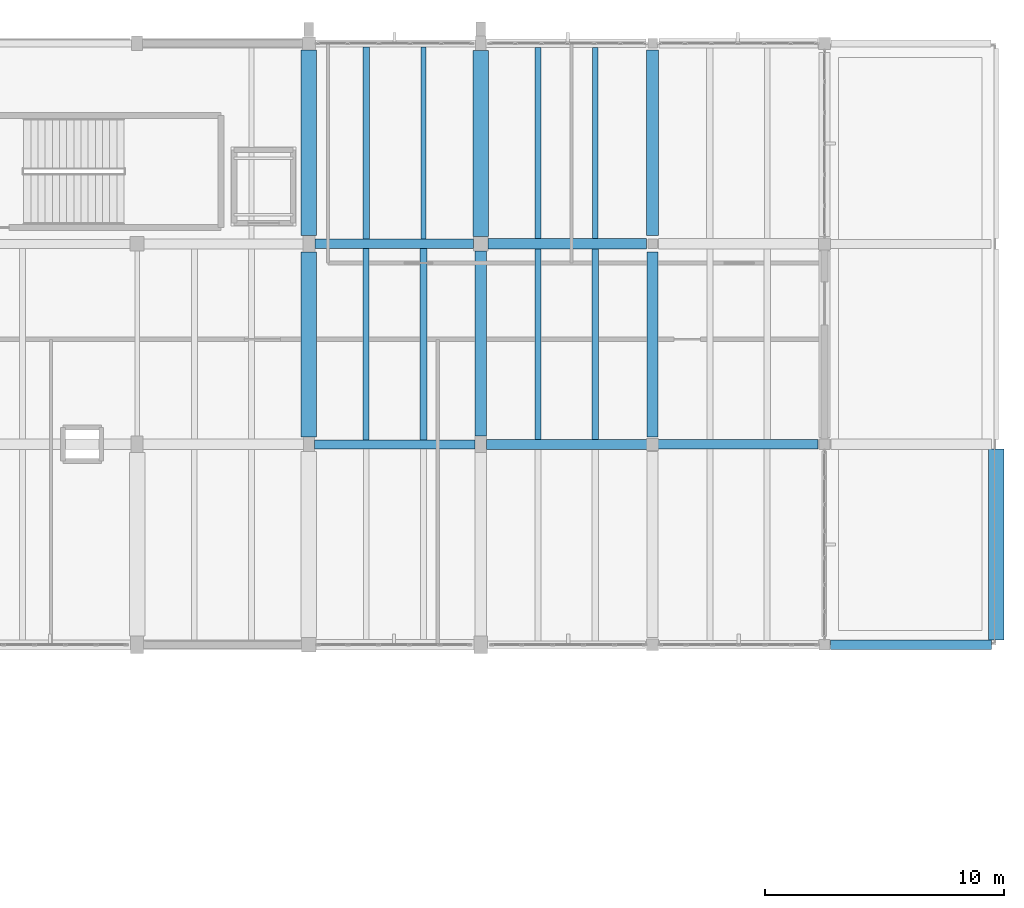
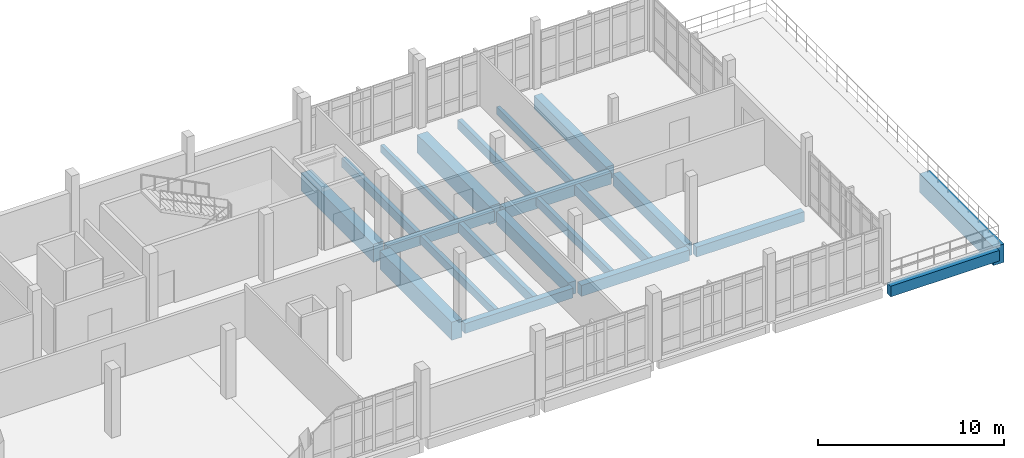
# One storey, part 21 of 41: 21 beams.
"""IFC4 building model written with IfcOpenShell, lengths in metres."""

from ifc_helpers import new_model, si_unit, direction, frame, origin, origin_2d, place, context, subcontext, project, spatial, rectangle, extrude, material, material_profile, profile_set, type_object, element, save


model = new_model("IFC4")

# Units and contexts
model_context = context("Model", 3, precision=1e-05, world=origin(), true_north=direction((0.0, 1.0)))
body_context = subcontext(model_context, "Body", "Model", "MODEL_VIEW")
ifc_project = project(units=[si_unit("LENGTHUNIT", "METRE"), si_unit("AREAUNIT", "SQUARE_METRE"), si_unit("VOLUMEUNIT", "CUBIC_METRE"), si_unit("PLANEANGLEUNIT", "RADIAN"), si_unit("MASSUNIT", "GRAM", prefix="KILO")], contexts=[model_context])

# Site, building, storey
site_placement = place(None, origin())
site = spatial("IfcSite", under=ifc_project, at=site_placement, CompositionType="ELEMENT")
building_placement = place(site_placement, origin())
building = spatial("IfcBuilding", under=site, at=building_placement, Name="Kalluvel Institute of Natural Sciences", CompositionType="ELEMENT")
storey_placement = place(building_placement, frame((0.0, 0.0, 32.39990234375)))
storey = spatial("IfcBuildingStorey", under=building, at=storey_placement, Name="L07", CompositionType="ELEMENT", Elevation=32.39990234375)

# Beams
ifc_material_1 = material(Name="Concrete M40", Category="concrete")
ifc_material_profile_1 = material_profile(ifc_material_1, rectangle(XDim=0.3798828125, YDim=0.639892578125, at=origin_2d()), Name="RCB 380x640")
ifc_profile_set_1 = profile_set([ifc_material_profile_1], Name="Concrete M40")
beam_type_1 = type_object("IfcBeamType", Name="BM-RC380x640", PredefinedType="BEAM", material=ifc_profile_set_1)
beam_1_placement = place(storey_placement, frame((79.02490234375, 111.199951171875, -0.639892578125), z_axis=(1.0, 0.0, 0.0), x_axis=(0.0, 1.0, 0.0)))
element("IfcBeam", 1, at=beam_1_placement, inside=storey, type_object=beam_type_1, Name="L07 girder GIR-L07-EW-X788-Y1112", PredefinedType="BEAM", context=body_context, shape_type="SweptSolid", body=[
    extrude(rectangle(XDim=0.3798828125, YDim=0.639892578125, at=origin_2d()), origin(), (0.0, 0.0, 1.0), 6.72509765625),
])
ifc_material_profile_2 = material_profile(ifc_material_1, rectangle(XDim=0.39990234375, YDim=0.64990234375, at=origin_2d()), Name="RCB 400x650")
ifc_profile_set_2 = profile_set([ifc_material_profile_2], Name="Concrete M40")
beam_type_2 = type_object("IfcBeamType", Name="BM-RC400x650", PredefinedType="BEAM", material=ifc_profile_set_2)
beam_2_placement = place(storey_placement, frame((93.425048828125, 111.199951171875, -0.64501953125), z_axis=(1.0, 0.0, 0.0), x_axis=(0.0, 1.0, 0.0)))
element("IfcBeam", 2, at=beam_2_placement, inside=storey, type_object=beam_type_2, Name="L07 girder GIR-L07-EW-X932-Y1112", PredefinedType="BEAM", context=body_context, shape_type="SweptSolid", body=[
    extrude(rectangle(XDim=0.39990234375, YDim=0.64990234375, at=origin_2d()), origin(), (0.0, 0.0, 1.0), 6.699951171875),
])
beam_3_placement = place(storey_placement, frame((79.050048828125, 119.60009765625, -0.64501953125), z_axis=(1.0, 0.0, 0.0), x_axis=(0.0, 1.0, 0.0)))
element("IfcBeam", 3, at=beam_3_placement, inside=storey, type_object=beam_type_2, Name="L07 girder GIR-L07-EW-X788-Y1196", PredefinedType="BEAM", context=body_context, shape_type="SweptSolid", body=[
    extrude(rectangle(XDim=0.39990234375, YDim=0.64990234375, at=origin_2d()), origin(), (0.0, 0.0, 1.0), 6.64990234375),
])
ifc_material_profile_3 = material_profile(ifc_material_1, rectangle(XDim=0.419921875, YDim=0.719970703125, at=origin_2d()), Name="RCB 420x720")
ifc_profile_set_3 = profile_set([ifc_material_profile_3], Name="Concrete M40")
beam_type_3 = type_object("IfcBeamType", Name="BM-RC420x720", PredefinedType="BEAM", material=ifc_profile_set_3)
beam_4_placement = place(storey_placement, frame((86.25, 111.199951171875, -0.679931640625), z_axis=(1.0, 0.0, 0.0), x_axis=(0.0, 1.0, 0.0)))
element("IfcBeam", 4, at=beam_4_placement, inside=storey, type_object=beam_type_3, Name="L07 girder GIR-L07-EW-X860-Y1112", PredefinedType="BEAM", context=body_context, shape_type="SweptSolid", body=[
    extrude(rectangle(XDim=0.419921875, YDim=0.719970703125, at=origin_2d()), origin(), (0.0, 0.0, 1.0), 6.72509765625),
])
ifc_material_profile_4 = material_profile(ifc_material_1, rectangle(XDim=0.449951171875, YDim=0.75, at=origin_2d()), Name="RCB 450x750")
ifc_profile_set_4 = profile_set([ifc_material_profile_4], Name="Concrete M40")
beam_type_4 = type_object("IfcBeamType", Name="BM-RC450x750", PredefinedType="BEAM", material=ifc_profile_set_4)
beam_5_placement = place(storey_placement, frame((86.300048828125, 119.60009765625, -0.69482421875), z_axis=(1.0, 0.0, 0.0), x_axis=(0.0, 1.0, 0.0)))
element("IfcBeam", 5, at=beam_5_placement, inside=storey, type_object=beam_type_4, Name="L07 girder GIR-L07-EW-X860-Y1196", PredefinedType="BEAM", context=body_context, shape_type="SweptSolid", body=[
    extrude(rectangle(XDim=0.449951171875, YDim=0.75, at=origin_2d()), origin(), (0.0, 0.0, 1.0), 6.64990234375),
])
ifc_material_profile_5 = material_profile(ifc_material_1, rectangle(XDim=0.449951171875, YDim=0.800048828125, at=origin_2d()), Name="RCB 450x800")
ifc_profile_set_5 = profile_set([ifc_material_profile_5], Name="Concrete M40")
beam_type_5 = type_object("IfcBeamType", Name="BM-RC450x800", PredefinedType="BEAM", material=ifc_profile_set_5)
beam_6_placement = place(storey_placement, frame((93.199951171875, 111.5, -0.719970703125), z_axis=(0.0, 1.0, 0.0), x_axis=(-1.0, 0.0, 0.0)))
element("IfcBeam", 6, at=beam_6_placement, inside=storey, type_object=beam_type_5, Name="L07 girder GIR-L07-NS-X932-Y1112", PredefinedType="BEAM", context=body_context, shape_type="SweptSolid", body=[
    extrude(rectangle(XDim=0.449951171875, YDim=0.800048828125, at=origin_2d()), origin(), (0.0, 0.0, 1.0), 7.75),
])
ifc_material_2 = material(Name="Concrete M50", Category="concrete")
ifc_material_profile_6 = material_profile(ifc_material_2, rectangle(XDim=0.5, YDim=0.85009765625, at=origin_2d()), Name="RCB 500x850")
ifc_profile_set_6 = profile_set([ifc_material_profile_6], Name="Concrete M50")
beam_type_6 = type_object("IfcBeamType", Name="BM-RC500x850", PredefinedType="BEAM", material=ifc_profile_set_6)
beam_7_placement = place(storey_placement, frame((86.0, 111.550048828125, -0.744873046875), z_axis=(0.0, 1.0, 0.0), x_axis=(-1.0, 0.0, 0.0)))
element("IfcBeam", 7, at=beam_7_placement, inside=storey, type_object=beam_type_6, Name="L07 girder GIR-L07-NS-X860-Y1112", PredefinedType="BEAM", context=body_context, shape_type="SweptSolid", body=[
    extrude(rectangle(XDim=0.5, YDim=0.85009765625, at=origin_2d()), origin(), (0.0, 0.0, 1.0), 7.75),
])
beam_8_placement = place(storey_placement, frame((93.199951171875, 119.949951171875, -0.744873046875), z_axis=(0.0, 1.0, 0.0), x_axis=(-1.0, 0.0, 0.0)))
element("IfcBeam", 8, at=beam_8_placement, inside=storey, type_object=beam_type_6, Name="L07 girder GIR-L07-NS-X932-Y1196", PredefinedType="BEAM", context=body_context, shape_type="SweptSolid", body=[
    extrude(rectangle(XDim=0.5, YDim=0.85009765625, at=origin_2d()), origin(), (0.0, 0.0, 1.0), 7.775146484375),
])
ifc_material_profile_7 = material_profile(ifc_material_2, rectangle(XDim=0.64990234375, YDim=1.199951171875, at=origin_2d()), Name="RCB 650x1200")
ifc_profile_set_7 = profile_set([ifc_material_profile_7], Name="Concrete M50")
beam_type_7 = type_object("IfcBeamType", Name="BM-RC650x1200", PredefinedType="BEAM", material=ifc_profile_set_7)
beam_9_placement = place(storey_placement, frame((78.800048828125, 111.5, -0.919921875), z_axis=(0.0, 1.0, 0.0), x_axis=(-1.0, 0.0, 0.0)))
element("IfcBeam", 9, at=beam_9_placement, inside=storey, type_object=beam_type_7, Name="L07 girder GIR-L07-NS-X788-Y1112", PredefinedType="BEAM", context=body_context, shape_type="SweptSolid", body=[
    extrude(rectangle(XDim=0.64990234375, YDim=1.199951171875, at=origin_2d()), origin(), (0.0, 0.0, 1.0), 7.75),
])
beam_10_placement = place(storey_placement, frame((78.800048828125, 119.949951171875, -0.919921875), z_axis=(0.0, 1.0, 0.0), x_axis=(-1.0, 0.0, 0.0)))
element("IfcBeam", 10, at=beam_10_placement, inside=storey, type_object=beam_type_7, Name="L07 girder GIR-L07-NS-X788-Y1196", PredefinedType="BEAM", context=body_context, shape_type="SweptSolid", body=[
    extrude(rectangle(XDim=0.64990234375, YDim=1.199951171875, at=origin_2d()), origin(), (0.0, 0.0, 1.0), 7.775146484375),
])
beam_11_placement = place(storey_placement, frame((86.0, 119.89990234375, -0.919921875), z_axis=(0.0, 1.0, 0.0), x_axis=(-1.0, 0.0, 0.0)))
element("IfcBeam", 11, at=beam_11_placement, inside=storey, type_object=beam_type_7, Name="L07 girder GIR-L07-NS-X860-Y1196", PredefinedType="BEAM", context=body_context, shape_type="SweptSolid", body=[
    extrude(rectangle(XDim=0.64990234375, YDim=1.199951171875, at=origin_2d()), origin(), (0.0, 0.0, 1.0), 7.800048828125),
])
beam_12_placement = place(storey_placement, frame((107.60009765625, 103.0, -0.919921875), z_axis=(0.0, 1.0, 0.0), x_axis=(-1.0, 0.0, 0.0)))
element("IfcBeam", 12, at=beam_12_placement, inside=storey, type_object=beam_type_7, Name="L07 girder GIR-L07-NS-X1076-Y1028", PredefinedType="BEAM", context=body_context, shape_type="SweptSolid", body=[
    extrude(rectangle(XDim=0.64990234375, YDim=1.199951171875, at=origin_2d()), origin(), (0.0, 0.0, 1.0), 8.0),
])
ifc_material_profile_8 = material_profile(ifc_material_1, rectangle(XDim=0.39990234375, YDim=0.699951171875, at=origin_2d()), Name="RCB 400x700")
ifc_profile_set_8 = profile_set([ifc_material_profile_8], Name="Concrete M40")
beam_type_8 = type_object("IfcBeamType", Name="SP-RC400x700", PredefinedType="SPANDREL", material=ifc_profile_set_8)
beam_13_placement = place(storey_placement, frame((100.64990234375, 102.800048828125, -0.669921875), z_axis=(1.0, 0.0, 0.0), x_axis=(0.0, 1.0, 0.0)))
element("IfcBeam", 13, at=beam_13_placement, inside=storey, type_object=beam_type_8, Name="L07 girder GIR-L07-EW-X1004-Y1028", PredefinedType="SPANDREL", context=body_context, shape_type="SweptSolid", body=[
    extrude(rectangle(XDim=0.39990234375, YDim=0.699951171875, at=origin_2d()), origin(), (0.0, 0.0, 1.0), 6.75),
])
ifc_material_profile_9 = material_profile(ifc_material_1, rectangle(XDim=0.219970703125, YDim=0.5, at=origin_2d()), Name="WAF 220x500")
ifc_profile_set_9 = profile_set([ifc_material_profile_9], Name="Concrete M40")
beam_type_9 = type_object("IfcBeamType", Name="WJ-220x500", PredefinedType="JOIST", material=ifc_profile_set_9)
beam_14_placement = place(storey_placement, frame((83.60009765625, 119.800048828125, -0.56982421875), z_axis=(0.0, 1.0, 0.0), x_axis=(-1.0, 0.0, 0.0)))
element("IfcBeam", 14, at=beam_14_placement, inside=storey, type_object=beam_type_9, Name="L07 waffle joist RIB-L07-0562", PredefinedType="JOIST", context=body_context, shape_type="SweptSolid", body=[
    extrude(rectangle(XDim=0.219970703125, YDim=0.5, at=origin_2d()), origin(), (0.0, 0.0, 1.0), 8.050048828125),
])
beam_15_placement = place(storey_placement, frame((90.800048828125, 119.824951171875, -0.56982421875), z_axis=(0.0, 1.0, 0.0), x_axis=(-1.0, 0.0, 0.0)))
element("IfcBeam", 15, at=beam_15_placement, inside=storey, type_object=beam_type_9, Name="L07 waffle joist RIB-L07-0568", PredefinedType="JOIST", context=body_context, shape_type="SweptSolid", body=[
    extrude(rectangle(XDim=0.219970703125, YDim=0.5, at=origin_2d()), origin(), (0.0, 0.0, 1.0), 8.0),
])
ifc_material_profile_10 = material_profile(ifc_material_1, rectangle(XDim=0.25, YDim=0.550048828125, at=origin_2d()), Name="WAF 250x550")
ifc_profile_set_10 = profile_set([ifc_material_profile_10], Name="Concrete M40")
beam_type_10 = type_object("IfcBeamType", Name="WJ-250x550", PredefinedType="JOIST", material=ifc_profile_set_10)
beam_16_placement = place(storey_placement, frame((81.199951171875, 111.389892578125, -0.594970703125), z_axis=(0.0, 1.0, 0.0), x_axis=(-1.0, 0.0, 0.0)))
element("IfcBeam", 16, at=beam_16_placement, inside=storey, type_object=beam_type_10, Name="L07 waffle joist RIB-L07-0559", PredefinedType="JOIST", context=body_context, shape_type="SweptSolid", body=[
    extrude(rectangle(XDim=0.25, YDim=0.550048828125, at=origin_2d()), origin(), (0.0, 0.0, 1.0), 8.010009765625),
])
beam_17_placement = place(storey_placement, frame((88.39990234375, 111.409912109375, -0.594970703125), z_axis=(0.0, 1.0, 0.0), x_axis=(-1.0, 0.0, 0.0)))
element("IfcBeam", 17, at=beam_17_placement, inside=storey, type_object=beam_type_10, Name="L07 waffle joist RIB-L07-0565", PredefinedType="JOIST", context=body_context, shape_type="SweptSolid", body=[
    extrude(rectangle(XDim=0.25, YDim=0.550048828125, at=origin_2d()), origin(), (0.0, 0.0, 1.0), 7.965087890625),
])
ifc_material_profile_11 = material_profile(ifc_material_2, rectangle(XDim=0.260009765625, YDim=0.6201171875, at=origin_2d()), Name="WAF 260x620")
ifc_profile_set_11 = profile_set([ifc_material_profile_11], Name="Concrete M50")
beam_type_11 = type_object("IfcBeamType", Name="WJ-260x620", PredefinedType="JOIST", material=ifc_profile_set_11)
beam_18_placement = place(storey_placement, frame((81.199951171875, 119.800048828125, -0.6298828125), z_axis=(0.0, 1.0, 0.0), x_axis=(-1.0, 0.0, 0.0)))
element("IfcBeam", 18, at=beam_18_placement, inside=storey, type_object=beam_type_11, Name="L07 waffle joist RIB-L07-0561", PredefinedType="JOIST", context=body_context, shape_type="SweptSolid", body=[
    extrude(rectangle(XDim=0.260009765625, YDim=0.6201171875, at=origin_2d()), origin(), (0.0, 0.0, 1.0), 8.050048828125),
])
beam_19_placement = place(storey_placement, frame((88.39990234375, 119.824951171875, -0.6298828125), z_axis=(0.0, 1.0, 0.0), x_axis=(-1.0, 0.0, 0.0)))
element("IfcBeam", 19, at=beam_19_placement, inside=storey, type_object=beam_type_11, Name="L07 waffle joist RIB-L07-0567", PredefinedType="JOIST", context=body_context, shape_type="SweptSolid", body=[
    extrude(rectangle(XDim=0.260009765625, YDim=0.6201171875, at=origin_2d()), origin(), (0.0, 0.0, 1.0), 8.0),
])
ifc_material_profile_12 = material_profile(ifc_material_2, rectangle(XDim=0.280029296875, YDim=0.64990234375, at=origin_2d()), Name="WAF 280x650")
ifc_profile_set_12 = profile_set([ifc_material_profile_12], Name="Concrete M50")
beam_type_12 = type_object("IfcBeamType", Name="WJ-280x650", PredefinedType="JOIST", material=ifc_profile_set_12)
beam_20_placement = place(storey_placement, frame((83.60009765625, 111.389892578125, -0.64501953125), z_axis=(0.0, 1.0, 0.0), x_axis=(-1.0, 0.0, 0.0)))
element("IfcBeam", 20, at=beam_20_placement, inside=storey, type_object=beam_type_12, Name="L07 waffle joist RIB-L07-0560", PredefinedType="JOIST", context=body_context, shape_type="SweptSolid", body=[
    extrude(rectangle(XDim=0.280029296875, YDim=0.64990234375, at=origin_2d()), origin(), (0.0, 0.0, 1.0), 8.010009765625),
])
beam_21_placement = place(storey_placement, frame((90.800048828125, 111.409912109375, -0.64501953125), z_axis=(0.0, 1.0, 0.0), x_axis=(-1.0, 0.0, 0.0)))
element("IfcBeam", 21, at=beam_21_placement, inside=storey, type_object=beam_type_12, Name="L07 waffle joist RIB-L07-0566", PredefinedType="JOIST", context=body_context, shape_type="SweptSolid", body=[
    extrude(rectangle(XDim=0.280029296875, YDim=0.64990234375, at=origin_2d()), origin(), (0.0, 0.0, 1.0), 7.965087890625),
])

save(model, "model.ifc")
